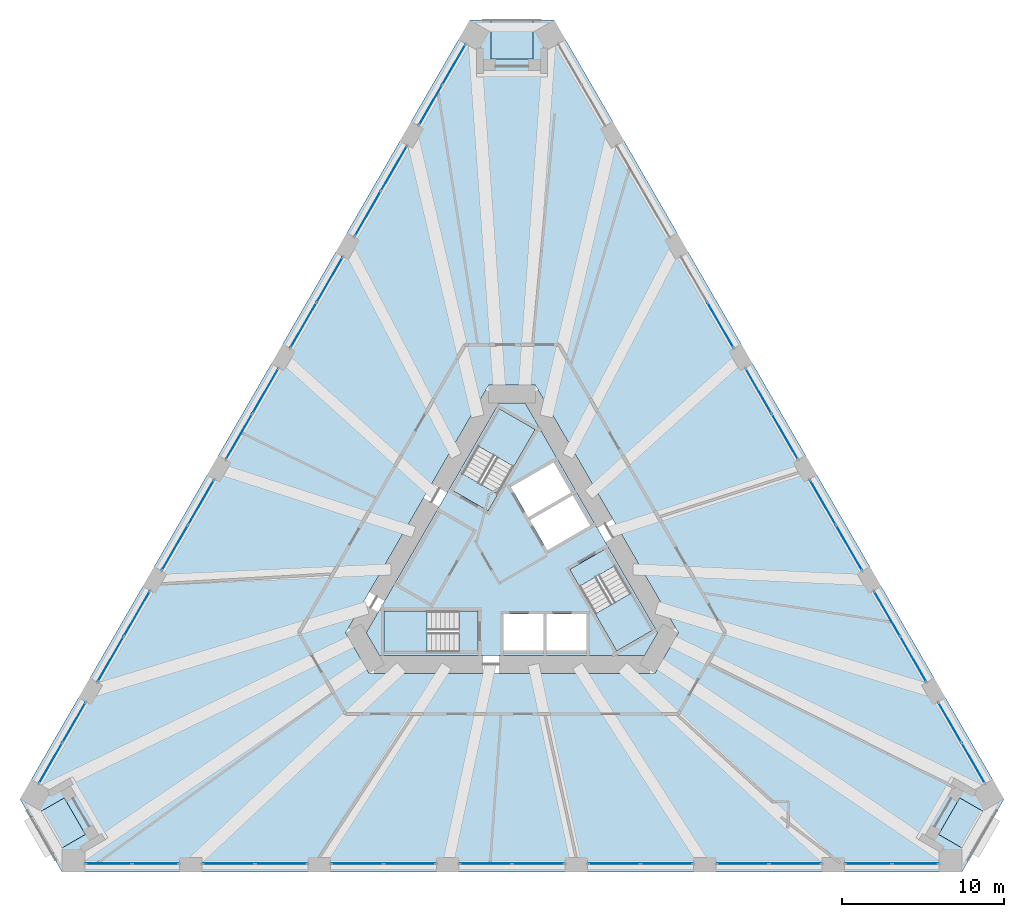
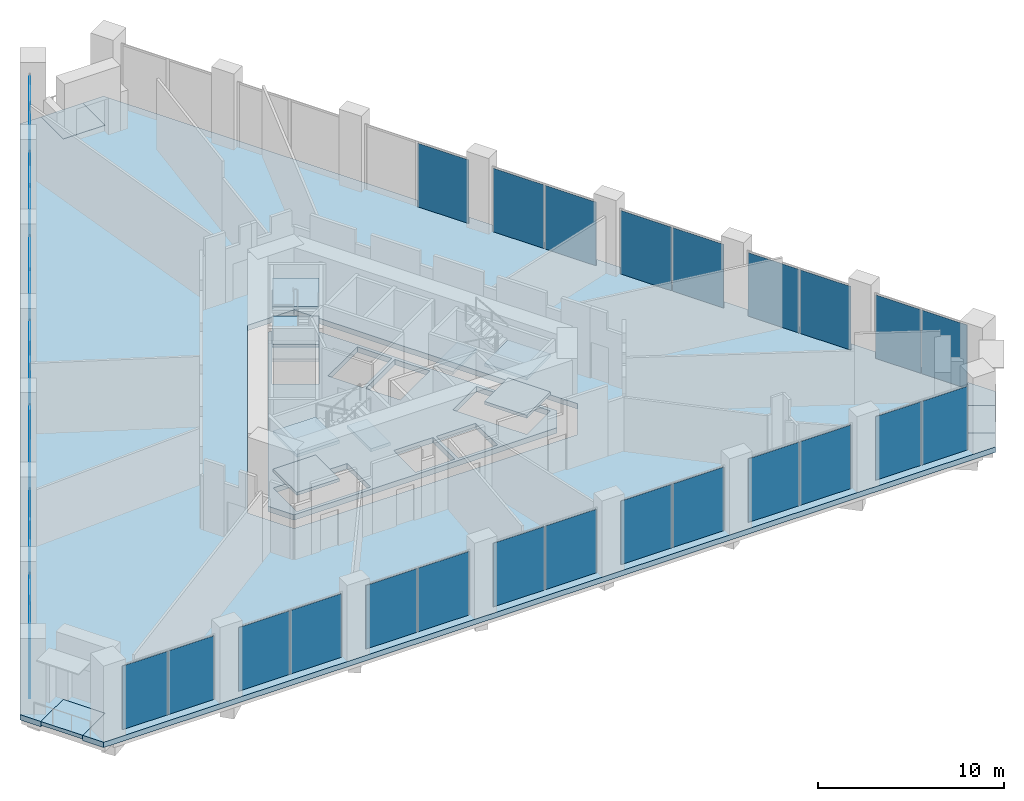
# One storey, part 12 of 20: 37 plates, 14 slabs, 22 elements without a shape of their own.
"""IFC4 building model written with IfcOpenShell, lengths in metres."""

from ifc_helpers import new_model, si_unit, direction, frame, origin, origin_2d, place, context, subcontext, project, spatial, polyline, rectangle, outline, extrude, material, layer, layer_set, type_object, element, aggregate, save


model = new_model("IFC4")

# Units and contexts
model_context = context("Model", 3, precision=1e-05, world=origin(), true_north=direction((0.0, 1.0)))
body_context = subcontext(model_context, "Body", "Model", "MODEL_VIEW")
ifc_project = project(units=[si_unit("LENGTHUNIT", "METRE"), si_unit("AREAUNIT", "SQUARE_METRE"), si_unit("VOLUMEUNIT", "CUBIC_METRE"), si_unit("PLANEANGLEUNIT", "RADIAN"), si_unit("MASSUNIT", "GRAM", prefix="KILO")], contexts=[model_context])

# Site, building, storey
site_placement = place(None, origin())
site = spatial("IfcSite", under=ifc_project, at=site_placement, CompositionType="ELEMENT")
building_placement = place(site_placement, origin())
building = spatial("IfcBuilding", under=site, at=building_placement, Name="Tramontana Tower", CompositionType="ELEMENT")
storey_placement = place(building_placement, frame((0.0, 0.0, 20.0)))
storey = spatial("IfcBuildingStorey", under=building, at=storey_placement, Name="L03", CompositionType="ELEMENT", Elevation=20.0)

# Curtain wall, plates
ifc_material_1 = material(Name="Aluminum extrusion", Category="aluminium")
ifc_layer_1 = layer(ifc_material_1, 0.14990234375)
ifc_layer_set_1 = layer_set([ifc_layer_1], Name="CW2 Podium amenity curtain wall")
curtain_wall_type = type_object("IfcCurtainWallType", Name="CW2 Podium amenity curtain wall", PredefinedType="NOTDEFINED", material=ifc_layer_set_1)
curtain_wall_1_placement = place(storey_placement, origin())
curtain_wall_1 = element("IfcCurtainWall", 1, at=curtain_wall_1_placement, inside=storey, type_object=curtain_wall_type, Name="CW2 curtain wall L03 face 0 bay 1", PredefinedType="NOTDEFINED")
ifc_material_2 = material(Name="Low-iron double glazing unit", Category="glass")
ifc_layer_2 = layer(ifc_material_2, 0.031982421875)
ifc_layer_set_2 = layer_set([ifc_layer_2], Name="CW2-P Glazing panel 32")
plate_type = type_object("IfcPlateType", Name="CW2-P Glazing panel 32", PredefinedType="CURTAIN_PANEL", material=ifc_layer_set_2)
plate_1_placement = place(storey_placement, frame((-3.578125, 30.75244140625, 0.0), z_axis=(0.0, 0.0, 1.0), x_axis=(-0.5, -0.866025403784, 0.0)))
plate_1 = element("IfcPlate", 2, at=plate_1_placement, type_object=plate_type, Name="CW2 curtain wall L03 face 0 bay 1 panel 1.1", PredefinedType="CURTAIN_PANEL", context=body_context, shape_type="SweptSolid", body=[
    extrude(rectangle(XDim=2.819091796875, YDim=0.031982421875, at=origin_2d()), origin(), (0.0, 0.0, 1.0), 4.179931640625),
])
plate_2_placement = place(storey_placement, frame((-5.017578125, 28.25927734375, 0.0), z_axis=(0.0, 0.0, 1.0), x_axis=(-0.5, -0.866025403784, 0.0)))
plate_2 = element("IfcPlate", 3, at=plate_2_placement, type_object=plate_type, Name="CW2 curtain wall L03 face 0 bay 1 panel 2.1", PredefinedType="CURTAIN_PANEL", context=body_context, shape_type="SweptSolid", body=[
    extrude(rectangle(XDim=2.819091796875, YDim=0.031982421875, at=origin_2d()), origin(), (0.0, 0.0, 1.0), 4.179931640625),
])
aggregate(curtain_wall_1, [plate_1, plate_2])

curtain_wall_2_placement = place(storey_placement, origin())
curtain_wall_2 = element("IfcCurtainWall", 4, at=curtain_wall_2_placement, inside=storey, type_object=curtain_wall_type, Name="CW2 curtain wall L03 face 0 bay 2", PredefinedType="NOTDEFINED")
plate_3_placement = place(storey_placement, frame((-7.274658203125, 24.349853515625, 0.0), z_axis=(0.0, 0.0, 1.0), x_axis=(-0.5, -0.866025403784, 0.0)))
plate_3 = element("IfcPlate", 5, at=plate_3_placement, type_object=plate_type, Name="CW2 curtain wall L03 face 0 bay 2 panel 1.1", PredefinedType="CURTAIN_PANEL", context=body_context, shape_type="SweptSolid", body=[
    extrude(rectangle(XDim=3.1689453125, YDim=0.031982421875, at=origin_2d()), origin(), (0.0, 0.0, 1.0), 4.179931640625),
])
plate_4_placement = place(storey_placement, frame((-8.88916015625, 21.5537109375, 0.0), z_axis=(0.0, 0.0, 1.0), x_axis=(-0.5, -0.866025403784, 0.0)))
plate_4 = element("IfcPlate", 6, at=plate_4_placement, type_object=plate_type, Name="CW2 curtain wall L03 face 0 bay 2 panel 2.1", PredefinedType="CURTAIN_PANEL", context=body_context, shape_type="SweptSolid", body=[
    extrude(rectangle(XDim=3.1689453125, YDim=0.031982421875, at=origin_2d()), origin(), (0.0, 0.0, 1.0), 4.179931640625),
])
aggregate(curtain_wall_2, [plate_3, plate_4])

curtain_wall_3_placement = place(storey_placement, origin())
curtain_wall_3 = element("IfcCurtainWall", 7, at=curtain_wall_3_placement, inside=storey, type_object=curtain_wall_type, Name="CW2 curtain wall L03 face 0 bay 3", PredefinedType="NOTDEFINED")
plate_5_placement = place(storey_placement, frame((-11.233642578125, 17.492919921875, 0.0), z_axis=(0.0, 0.0, 1.0), x_axis=(-0.5, -0.866025403784, 0.0)))
plate_5 = element("IfcPlate", 8, at=plate_5_placement, type_object=plate_type, Name="CW2 curtain wall L03 face 0 bay 3 panel 1.1", PredefinedType="CURTAIN_PANEL", context=body_context, shape_type="SweptSolid", body=[
    extrude(rectangle(XDim=3.1689453125, YDim=0.031982421875, at=origin_2d()), origin(), (0.0, 0.0, 1.0), 4.179931640625),
])
plate_6_placement = place(storey_placement, frame((-12.84814453125, 14.696533203125, 0.0), z_axis=(0.0, 0.0, 1.0), x_axis=(-0.5, -0.866025403784, 0.0)))
plate_6 = element("IfcPlate", 9, at=plate_6_placement, type_object=plate_type, Name="CW2 curtain wall L03 face 0 bay 3 panel 2.1", PredefinedType="CURTAIN_PANEL", context=body_context, shape_type="SweptSolid", body=[
    extrude(rectangle(XDim=3.1689453125, YDim=0.031982421875, at=origin_2d()), origin(), (0.0, 0.0, 1.0), 4.179931640625),
])
aggregate(curtain_wall_3, [plate_5, plate_6])

curtain_wall_4_placement = place(storey_placement, origin())
curtain_wall_4 = element("IfcCurtainWall", 10, at=curtain_wall_4_placement, inside=storey, type_object=curtain_wall_type, Name="CW2 curtain wall L03 face 0 bay 4", PredefinedType="NOTDEFINED")
plate_7_placement = place(storey_placement, frame((-15.192626953125, 10.6357421875, 0.0), z_axis=(0.0, 0.0, 1.0), x_axis=(-0.5, -0.866025403784, 0.0)))
plate_7 = element("IfcPlate", 11, at=plate_7_placement, type_object=plate_type, Name="CW2 curtain wall L03 face 0 bay 4 panel 1.1", PredefinedType="CURTAIN_PANEL", context=body_context, shape_type="SweptSolid", body=[
    extrude(rectangle(XDim=3.1689453125, YDim=0.031982421875, at=origin_2d()), origin(), (0.0, 0.0, 1.0), 4.179931640625),
])
plate_8_placement = place(storey_placement, frame((-16.80712890625, 7.83935546875, 0.0), z_axis=(0.0, 0.0, 1.0), x_axis=(-0.5, -0.866025403784, 0.0)))
plate_8 = element("IfcPlate", 12, at=plate_8_placement, type_object=plate_type, Name="CW2 curtain wall L03 face 0 bay 4 panel 2.1", PredefinedType="CURTAIN_PANEL", context=body_context, shape_type="SweptSolid", body=[
    extrude(rectangle(XDim=3.1689453125, YDim=0.031982421875, at=origin_2d()), origin(), (0.0, 0.0, 1.0), 4.179931640625),
])
aggregate(curtain_wall_4, [plate_7, plate_8])

curtain_wall_5_placement = place(storey_placement, origin())
curtain_wall_5 = element("IfcCurtainWall", 13, at=curtain_wall_5_placement, inside=storey, type_object=curtain_wall_type, Name="CW2 curtain wall L03 face 0 bay 5", PredefinedType="NOTDEFINED")
plate_9_placement = place(storey_placement, frame((-19.151611328125, 3.778564453125, 0.0), z_axis=(0.0, 0.0, 1.0), x_axis=(-0.5, -0.866025403784, 0.0)))
plate_9 = element("IfcPlate", 14, at=plate_9_placement, type_object=plate_type, Name="CW2 curtain wall L03 face 0 bay 5 panel 1.1", PredefinedType="CURTAIN_PANEL", context=body_context, shape_type="SweptSolid", body=[
    extrude(rectangle(XDim=3.1689453125, YDim=0.031982421875, at=origin_2d()), origin(), (0.0, 0.0, 1.0), 4.179931640625),
])
plate_10_placement = place(storey_placement, frame((-20.76611328125, 0.982177734375, 0.0), z_axis=(0.0, 0.0, 1.0), x_axis=(-0.5, -0.866025403784, 0.0)))
plate_10 = element("IfcPlate", 15, at=plate_10_placement, type_object=plate_type, Name="CW2 curtain wall L03 face 0 bay 5 panel 2.1", PredefinedType="CURTAIN_PANEL", context=body_context, shape_type="SweptSolid", body=[
    extrude(rectangle(XDim=3.1689453125, YDim=0.031982421875, at=origin_2d()), origin(), (0.0, 0.0, 1.0), 4.179931640625),
])
aggregate(curtain_wall_5, [plate_9, plate_10])

curtain_wall_6_placement = place(storey_placement, origin())
curtain_wall_6 = element("IfcCurtainWall", 16, at=curtain_wall_6_placement, inside=storey, type_object=curtain_wall_type, Name="CW2 curtain wall L03 face 0 bay 6", PredefinedType="NOTDEFINED")
plate_11_placement = place(storey_placement, frame((-23.110595703125, -3.07861328125, 0.0), z_axis=(0.0, 0.0, 1.0), x_axis=(-0.5, -0.866025403784, 0.0)))
plate_11 = element("IfcPlate", 17, at=plate_11_placement, type_object=plate_type, Name="CW2 curtain wall L03 face 0 bay 6 panel 1.1", PredefinedType="CURTAIN_PANEL", context=body_context, shape_type="SweptSolid", body=[
    extrude(rectangle(XDim=3.1689453125, YDim=0.031982421875, at=origin_2d()), origin(), (0.0, 0.0, 1.0), 4.179931640625),
])
plate_12_placement = place(storey_placement, frame((-24.72509765625, -5.875, 0.0), z_axis=(0.0, 0.0, 1.0), x_axis=(-0.5, -0.866025403784, 0.0)))
plate_12 = element("IfcPlate", 18, at=plate_12_placement, type_object=plate_type, Name="CW2 curtain wall L03 face 0 bay 6 panel 2.1", PredefinedType="CURTAIN_PANEL", context=body_context, shape_type="SweptSolid", body=[
    extrude(rectangle(XDim=3.1689453125, YDim=0.031982421875, at=origin_2d()), origin(), (0.0, 0.0, 1.0), 4.179931640625),
])
aggregate(curtain_wall_6, [plate_11, plate_12])

curtain_wall_7_placement = place(storey_placement, origin())
curtain_wall_7 = element("IfcCurtainWall", 19, at=curtain_wall_7_placement, inside=storey, type_object=curtain_wall_type, Name="CW2 curtain wall L03 face 0 bay 7", PredefinedType="NOTDEFINED")
plate_13_placement = place(storey_placement, frame((-26.98193359375, -9.7841796875, 0.0), z_axis=(0.0, 0.0, 1.0), x_axis=(-0.5, -0.866025403784, 0.0)))
plate_13 = element("IfcPlate", 20, at=plate_13_placement, type_object=plate_type, Name="CW2 curtain wall L03 face 0 bay 7 panel 1.1", PredefinedType="CURTAIN_PANEL", context=body_context, shape_type="SweptSolid", body=[
    extrude(rectangle(XDim=2.819091796875, YDim=0.031982421875, at=origin_2d()), origin(), (0.0, 0.0, 1.0), 4.179931640625),
])
plate_14_placement = place(storey_placement, frame((-28.42138671875, -12.27734375, 0.0), z_axis=(0.0, 0.0, 1.0), x_axis=(-0.5, -0.866025403784, 0.0)))
plate_14 = element("IfcPlate", 21, at=plate_14_placement, type_object=plate_type, Name="CW2 curtain wall L03 face 0 bay 7 panel 2.1", PredefinedType="CURTAIN_PANEL", context=body_context, shape_type="SweptSolid", body=[
    extrude(rectangle(XDim=2.819091796875, YDim=0.031982421875, at=origin_2d()), origin(), (0.0, 0.0, 1.0), 4.179931640625),
])
aggregate(curtain_wall_7, [plate_13, plate_14])

curtain_wall_8_placement = place(storey_placement, origin())
curtain_wall_8 = element("IfcCurtainWall", 22, at=curtain_wall_8_placement, inside=storey, type_object=curtain_wall_type, Name="CW2 curtain wall L03 face 1 bay 1", PredefinedType="NOTDEFINED")
plate_15_placement = place(storey_placement, frame((-24.84326171875, -18.47509765625, 0.0), z_axis=(0.0, 0.0, 1.0), x_axis=(1.0, 0.0, 0.0)))
plate_15 = element("IfcPlate", 23, at=plate_15_placement, type_object=plate_type, Name="CW2 curtain wall L03 face 1 bay 1 panel 1.1", PredefinedType="CURTAIN_PANEL", context=body_context, shape_type="SweptSolid", body=[
    extrude(rectangle(XDim=2.819091796875, YDim=0.031982421875, at=origin_2d()), origin(), (0.0, 0.0, 1.0), 4.179931640625),
])
plate_16_placement = place(storey_placement, frame((-21.96435546875, -18.47509765625, 0.0), z_axis=(0.0, 0.0, 1.0), x_axis=(1.0, 0.0, 0.0)))
plate_16 = element("IfcPlate", 24, at=plate_16_placement, type_object=plate_type, Name="CW2 curtain wall L03 face 1 bay 1 panel 2.1", PredefinedType="CURTAIN_PANEL", context=body_context, shape_type="SweptSolid", body=[
    extrude(rectangle(XDim=2.819091796875, YDim=0.031982421875, at=origin_2d()), origin(), (0.0, 0.0, 1.0), 4.179931640625),
])
aggregate(curtain_wall_8, [plate_15, plate_16])

curtain_wall_9_placement = place(storey_placement, origin())
curtain_wall_9 = element("IfcCurtainWall", 25, at=curtain_wall_9_placement, inside=storey, type_object=curtain_wall_type, Name="CW2 curtain wall L03 face 1 bay 2", PredefinedType="NOTDEFINED")
plate_17_placement = place(storey_placement, frame((-17.450439453125, -18.47509765625, 0.0), z_axis=(0.0, 0.0, 1.0), x_axis=(1.0, 0.0, 0.0)))
plate_17 = element("IfcPlate", 26, at=plate_17_placement, type_object=plate_type, Name="CW2 curtain wall L03 face 1 bay 2 panel 1.1", PredefinedType="CURTAIN_PANEL", context=body_context, shape_type="SweptSolid", body=[
    extrude(rectangle(XDim=3.1689453125, YDim=0.031982421875, at=origin_2d()), origin(), (0.0, 0.0, 1.0), 4.179931640625),
])
plate_18_placement = place(storey_placement, frame((-14.221435546875, -18.47509765625, 0.0), z_axis=(0.0, 0.0, 1.0), x_axis=(1.0, 0.0, 0.0)))
plate_18 = element("IfcPlate", 27, at=plate_18_placement, type_object=plate_type, Name="CW2 curtain wall L03 face 1 bay 2 panel 2.1", PredefinedType="CURTAIN_PANEL", context=body_context, shape_type="SweptSolid", body=[
    extrude(rectangle(XDim=3.1689453125, YDim=0.031982421875, at=origin_2d()), origin(), (0.0, 0.0, 1.0), 4.179931640625),
])
aggregate(curtain_wall_9, [plate_17, plate_18])

curtain_wall_10_placement = place(storey_placement, origin())
curtain_wall_10 = element("IfcCurtainWall", 28, at=curtain_wall_10_placement, inside=storey, type_object=curtain_wall_type, Name="CW2 curtain wall L03 face 1 bay 3", PredefinedType="NOTDEFINED")
plate_19_placement = place(storey_placement, frame((-9.532470703125, -18.47509765625, 0.0), z_axis=(0.0, 0.0, 1.0), x_axis=(1.0, 0.0, 0.0)))
plate_19 = element("IfcPlate", 29, at=plate_19_placement, type_object=plate_type, Name="CW2 curtain wall L03 face 1 bay 3 panel 1.1", PredefinedType="CURTAIN_PANEL", context=body_context, shape_type="SweptSolid", body=[
    extrude(rectangle(XDim=3.1689453125, YDim=0.031982421875, at=origin_2d()), origin(), (0.0, 0.0, 1.0), 4.179931640625),
])
plate_20_placement = place(storey_placement, frame((-6.303466796875, -18.47509765625, 0.0), z_axis=(0.0, 0.0, 1.0), x_axis=(1.0, 0.0, 0.0)))
plate_20 = element("IfcPlate", 30, at=plate_20_placement, type_object=plate_type, Name="CW2 curtain wall L03 face 1 bay 3 panel 2.1", PredefinedType="CURTAIN_PANEL", context=body_context, shape_type="SweptSolid", body=[
    extrude(rectangle(XDim=3.1689453125, YDim=0.031982421875, at=origin_2d()), origin(), (0.0, 0.0, 1.0), 4.179931640625),
])
aggregate(curtain_wall_10, [plate_19, plate_20])

curtain_wall_11_placement = place(storey_placement, origin())
curtain_wall_11 = element("IfcCurtainWall", 31, at=curtain_wall_11_placement, inside=storey, type_object=curtain_wall_type, Name="CW2 curtain wall L03 face 1 bay 4", PredefinedType="NOTDEFINED")
plate_21_placement = place(storey_placement, frame((-1.614501953125, -18.47509765625, 0.0), z_axis=(0.0, 0.0, 1.0), x_axis=(1.0, 0.0, 0.0)))
plate_21 = element("IfcPlate", 32, at=plate_21_placement, type_object=plate_type, Name="CW2 curtain wall L03 face 1 bay 4 panel 1.1", PredefinedType="CURTAIN_PANEL", context=body_context, shape_type="SweptSolid", body=[
    extrude(rectangle(XDim=3.1689453125, YDim=0.031982421875, at=origin_2d()), origin(), (0.0, 0.0, 1.0), 4.179931640625),
])
plate_22_placement = place(storey_placement, frame((1.614501953125, -18.47509765625, 0.0), z_axis=(0.0, 0.0, 1.0), x_axis=(1.0, 0.0, 0.0)))
plate_22 = element("IfcPlate", 33, at=plate_22_placement, type_object=plate_type, Name="CW2 curtain wall L03 face 1 bay 4 panel 2.1", PredefinedType="CURTAIN_PANEL", context=body_context, shape_type="SweptSolid", body=[
    extrude(rectangle(XDim=3.1689453125, YDim=0.031982421875, at=origin_2d()), origin(), (0.0, 0.0, 1.0), 4.179931640625),
])
aggregate(curtain_wall_11, [plate_21, plate_22])

curtain_wall_12_placement = place(storey_placement, origin())
curtain_wall_12 = element("IfcCurtainWall", 34, at=curtain_wall_12_placement, inside=storey, type_object=curtain_wall_type, Name="CW2 curtain wall L03 face 1 bay 5", PredefinedType="NOTDEFINED")
plate_23_placement = place(storey_placement, frame((6.303466796875, -18.47509765625, 0.0), z_axis=(0.0, 0.0, 1.0), x_axis=(1.0, 0.0, 0.0)))
plate_23 = element("IfcPlate", 35, at=plate_23_placement, type_object=plate_type, Name="CW2 curtain wall L03 face 1 bay 5 panel 1.1", PredefinedType="CURTAIN_PANEL", context=body_context, shape_type="SweptSolid", body=[
    extrude(rectangle(XDim=3.1689453125, YDim=0.031982421875, at=origin_2d()), origin(), (0.0, 0.0, 1.0), 4.179931640625),
])
plate_24_placement = place(storey_placement, frame((9.532470703125, -18.47509765625, 0.0), z_axis=(0.0, 0.0, 1.0), x_axis=(1.0, 0.0, 0.0)))
plate_24 = element("IfcPlate", 36, at=plate_24_placement, type_object=plate_type, Name="CW2 curtain wall L03 face 1 bay 5 panel 2.1", PredefinedType="CURTAIN_PANEL", context=body_context, shape_type="SweptSolid", body=[
    extrude(rectangle(XDim=3.1689453125, YDim=0.031982421875, at=origin_2d()), origin(), (0.0, 0.0, 1.0), 4.179931640625),
])
aggregate(curtain_wall_12, [plate_23, plate_24])

curtain_wall_13_placement = place(storey_placement, origin())
curtain_wall_13 = element("IfcCurtainWall", 37, at=curtain_wall_13_placement, inside=storey, type_object=curtain_wall_type, Name="CW2 curtain wall L03 face 1 bay 6", PredefinedType="NOTDEFINED")
plate_25_placement = place(storey_placement, frame((14.221435546875, -18.47509765625, 0.0), z_axis=(0.0, 0.0, 1.0), x_axis=(1.0, 0.0, 0.0)))
plate_25 = element("IfcPlate", 38, at=plate_25_placement, type_object=plate_type, Name="CW2 curtain wall L03 face 1 bay 6 panel 1.1", PredefinedType="CURTAIN_PANEL", context=body_context, shape_type="SweptSolid", body=[
    extrude(rectangle(XDim=3.1689453125, YDim=0.031982421875, at=origin_2d()), origin(), (0.0, 0.0, 1.0), 4.179931640625),
])
plate_26_placement = place(storey_placement, frame((17.450439453125, -18.47509765625, 0.0), z_axis=(0.0, 0.0, 1.0), x_axis=(1.0, 0.0, 0.0)))
plate_26 = element("IfcPlate", 39, at=plate_26_placement, type_object=plate_type, Name="CW2 curtain wall L03 face 1 bay 6 panel 2.1", PredefinedType="CURTAIN_PANEL", context=body_context, shape_type="SweptSolid", body=[
    extrude(rectangle(XDim=3.1689453125, YDim=0.031982421875, at=origin_2d()), origin(), (0.0, 0.0, 1.0), 4.179931640625),
])
aggregate(curtain_wall_13, [plate_25, plate_26])

curtain_wall_14_placement = place(storey_placement, origin())
curtain_wall_14 = element("IfcCurtainWall", 40, at=curtain_wall_14_placement, inside=storey, type_object=curtain_wall_type, Name="CW2 curtain wall L03 face 1 bay 7", PredefinedType="NOTDEFINED")
plate_27_placement = place(storey_placement, frame((21.96435546875, -18.47509765625, 0.0), z_axis=(0.0, 0.0, 1.0), x_axis=(1.0, 0.0, 0.0)))
plate_27 = element("IfcPlate", 41, at=plate_27_placement, type_object=plate_type, Name="CW2 curtain wall L03 face 1 bay 7 panel 1.1", PredefinedType="CURTAIN_PANEL", context=body_context, shape_type="SweptSolid", body=[
    extrude(rectangle(XDim=2.819091796875, YDim=0.031982421875, at=origin_2d()), origin(), (0.0, 0.0, 1.0), 4.179931640625),
])
plate_28_placement = place(storey_placement, frame((24.84326171875, -18.47509765625, 0.0), z_axis=(0.0, 0.0, 1.0), x_axis=(1.0, 0.0, 0.0)))
plate_28 = element("IfcPlate", 42, at=plate_28_placement, type_object=plate_type, Name="CW2 curtain wall L03 face 1 bay 7 panel 2.1", PredefinedType="CURTAIN_PANEL", context=body_context, shape_type="SweptSolid", body=[
    extrude(rectangle(XDim=2.819091796875, YDim=0.031982421875, at=origin_2d()), origin(), (0.0, 0.0, 1.0), 4.179931640625),
])
aggregate(curtain_wall_14, [plate_27, plate_28])

curtain_wall_15_placement = place(storey_placement, origin())
curtain_wall_15 = element("IfcCurtainWall", 43, at=curtain_wall_15_placement, inside=storey, type_object=curtain_wall_type, Name="CW2 curtain wall L03 face 2 bay 1", PredefinedType="NOTDEFINED")
plate_29_placement = place(storey_placement, frame((28.42138671875, -12.27734375, 0.0), z_axis=(0.0, 0.0, 1.0), x_axis=(-0.5, 0.866025403784, 0.0)))
plate_29 = element("IfcPlate", 44, at=plate_29_placement, type_object=plate_type, Name="CW2 curtain wall L03 face 2 bay 1 panel 1.1", PredefinedType="CURTAIN_PANEL", context=body_context, shape_type="SweptSolid", body=[
    extrude(rectangle(XDim=2.819091796875, YDim=0.031982421875, at=origin_2d()), origin(), (0.0, 0.0, 1.0), 4.179931640625),
])
plate_30_placement = place(storey_placement, frame((26.98193359375, -9.7841796875, 0.0), z_axis=(0.0, 0.0, 1.0), x_axis=(-0.5, 0.866025403784, 0.0)))
plate_30 = element("IfcPlate", 45, at=plate_30_placement, type_object=plate_type, Name="CW2 curtain wall L03 face 2 bay 1 panel 2.1", PredefinedType="CURTAIN_PANEL", context=body_context, shape_type="SweptSolid", body=[
    extrude(rectangle(XDim=2.819091796875, YDim=0.031982421875, at=origin_2d()), origin(), (0.0, 0.0, 1.0), 4.179931640625),
])
aggregate(curtain_wall_15, [plate_29, plate_30])

curtain_wall_16_placement = place(storey_placement, origin())
curtain_wall_16 = element("IfcCurtainWall", 46, at=curtain_wall_16_placement, inside=storey, type_object=curtain_wall_type, Name="CW2 curtain wall L03 face 2 bay 2", PredefinedType="NOTDEFINED")
plate_31_placement = place(storey_placement, frame((24.72509765625, -5.875, 0.0), z_axis=(0.0, 0.0, 1.0), x_axis=(-0.5, 0.866025403784, 0.0)))
plate_31 = element("IfcPlate", 47, at=plate_31_placement, type_object=plate_type, Name="CW2 curtain wall L03 face 2 bay 2 panel 1.1", PredefinedType="CURTAIN_PANEL", context=body_context, shape_type="SweptSolid", body=[
    extrude(rectangle(XDim=3.1689453125, YDim=0.031982421875, at=origin_2d()), origin(), (0.0, 0.0, 1.0), 4.179931640625),
])
plate_32_placement = place(storey_placement, frame((23.110595703125, -3.07861328125, 0.0), z_axis=(0.0, 0.0, 1.0), x_axis=(-0.5, 0.866025403784, 0.0)))
plate_32 = element("IfcPlate", 48, at=plate_32_placement, type_object=plate_type, Name="CW2 curtain wall L03 face 2 bay 2 panel 2.1", PredefinedType="CURTAIN_PANEL", context=body_context, shape_type="SweptSolid", body=[
    extrude(rectangle(XDim=3.1689453125, YDim=0.031982421875, at=origin_2d()), origin(), (0.0, 0.0, 1.0), 4.179931640625),
])
aggregate(curtain_wall_16, [plate_31, plate_32])

curtain_wall_17_placement = place(storey_placement, origin())
curtain_wall_17 = element("IfcCurtainWall", 49, at=curtain_wall_17_placement, inside=storey, type_object=curtain_wall_type, Name="CW2 curtain wall L03 face 2 bay 3", PredefinedType="NOTDEFINED")
plate_33_placement = place(storey_placement, frame((20.76611328125, 0.982177734375, 0.0), z_axis=(0.0, 0.0, 1.0), x_axis=(-0.5, 0.866025403784, 0.0)))
plate_33 = element("IfcPlate", 50, at=plate_33_placement, type_object=plate_type, Name="CW2 curtain wall L03 face 2 bay 3 panel 1.1", PredefinedType="CURTAIN_PANEL", context=body_context, shape_type="SweptSolid", body=[
    extrude(rectangle(XDim=3.1689453125, YDim=0.031982421875, at=origin_2d()), origin(), (0.0, 0.0, 1.0), 4.179931640625),
])
plate_34_placement = place(storey_placement, frame((19.151611328125, 3.778564453125, 0.0), z_axis=(0.0, 0.0, 1.0), x_axis=(-0.5, 0.866025403784, 0.0)))
plate_34 = element("IfcPlate", 51, at=plate_34_placement, type_object=plate_type, Name="CW2 curtain wall L03 face 2 bay 3 panel 2.1", PredefinedType="CURTAIN_PANEL", context=body_context, shape_type="SweptSolid", body=[
    extrude(rectangle(XDim=3.1689453125, YDim=0.031982421875, at=origin_2d()), origin(), (0.0, 0.0, 1.0), 4.179931640625),
])
aggregate(curtain_wall_17, [plate_33, plate_34])

curtain_wall_18_placement = place(storey_placement, origin())
curtain_wall_18 = element("IfcCurtainWall", 52, at=curtain_wall_18_placement, inside=storey, type_object=curtain_wall_type, Name="CW2 curtain wall L03 face 2 bay 4", PredefinedType="NOTDEFINED")
plate_35_placement = place(storey_placement, frame((16.80712890625, 7.83935546875, 0.0), z_axis=(0.0, 0.0, 1.0), x_axis=(-0.5, 0.866025403784, 0.0)))
plate_35 = element("IfcPlate", 53, at=plate_35_placement, type_object=plate_type, Name="CW2 curtain wall L03 face 2 bay 4 panel 1.1", PredefinedType="CURTAIN_PANEL", context=body_context, shape_type="SweptSolid", body=[
    extrude(rectangle(XDim=3.1689453125, YDim=0.031982421875, at=origin_2d()), origin(), (0.0, 0.0, 1.0), 4.179931640625),
])
plate_36_placement = place(storey_placement, frame((15.192626953125, 10.6357421875, 0.0), z_axis=(0.0, 0.0, 1.0), x_axis=(-0.5, 0.866025403784, 0.0)))
plate_36 = element("IfcPlate", 54, at=plate_36_placement, type_object=plate_type, Name="CW2 curtain wall L03 face 2 bay 4 panel 2.1", PredefinedType="CURTAIN_PANEL", context=body_context, shape_type="SweptSolid", body=[
    extrude(rectangle(XDim=3.1689453125, YDim=0.031982421875, at=origin_2d()), origin(), (0.0, 0.0, 1.0), 4.179931640625),
])
aggregate(curtain_wall_18, [plate_35, plate_36])

# Curtain wall, plate
curtain_wall_19_placement = place(storey_placement, origin())
curtain_wall_19 = element("IfcCurtainWall", 55, at=curtain_wall_19_placement, inside=storey, type_object=curtain_wall_type, Name="CW2 curtain wall L03 face 2 bay 5", PredefinedType="NOTDEFINED")
plate_37_placement = place(storey_placement, frame((12.84814453125, 14.696533203125, 0.0), z_axis=(0.0, 0.0, 1.0), x_axis=(-0.5, 0.866025403784, 0.0)))
plate_37 = element("IfcPlate", 56, at=plate_37_placement, type_object=plate_type, Name="CW2 curtain wall L03 face 2 bay 5 panel 1.1", PredefinedType="CURTAIN_PANEL", context=body_context, shape_type="SweptSolid", body=[
    extrude(rectangle(XDim=3.1689453125, YDim=0.031982421875, at=origin_2d()), origin(), (0.0, 0.0, 1.0), 4.179931640625),
])
aggregate(curtain_wall_19, [plate_37])

# Slabs
ifc_material_3 = material(Name="Precast concrete 50 MPa", Category="concrete")
ifc_layer_3 = layer(ifc_material_3, 0.25)
ifc_layer_set_3 = layer_set([ifc_layer_3], Name="LT1 Loggia floor tray 250")
slab_type_1 = type_object("IfcSlabType", Name="LT1 Loggia floor tray 250", PredefinedType="FLOOR", material=ifc_layer_set_3)
slab_1_placement = place(storey_placement, frame((0.0, 0.0, -0.25)))
element("IfcSlab", 57, at=slab_1_placement, inside=storey, type_object=slab_type_1, Name="Corner loggia floor L03 K00", PredefinedType="FLOOR", context=body_context, shape_type="SweptSolid", body=[
    extrude(outline(polyline([(1.300048828125, 33.5), (1.300048828125, 31.10009765625), (-1.300048828125, 31.10009765625), (-1.300048828125, 33.5), (1.300048828125, 33.5)])), origin(), (0.0, 0.0, 1.0), 0.25),
])
slab_2_placement = place(storey_placement, frame((0.0, 0.0, -0.25)))
element("IfcSlab", 58, at=slab_2_placement, inside=storey, type_object=slab_type_1, Name="Corner loggia floor L03 K01", PredefinedType="FLOOR", context=body_context, shape_type="SweptSolid", body=[
    extrude(outline(polyline([(-29.661865234375, -15.624267578125), (-27.58349609375, -14.424072265625), (-26.283447265625, -16.67578125), (-28.36181640625, -17.875732421875), (-29.661865234375, -15.624267578125)])), origin(), (0.0, 0.0, 1.0), 0.25),
])
slab_3_placement = place(storey_placement, frame((0.0, 0.0, -0.25)))
element("IfcSlab", 59, at=slab_3_placement, inside=storey, type_object=slab_type_1, Name="Corner loggia floor L03 K02", PredefinedType="FLOOR", context=body_context, shape_type="SweptSolid", body=[
    extrude(outline(polyline([(28.36181640625, -17.875732421875), (26.283447265625, -16.67578125), (27.58349609375, -14.424072265625), (29.661865234375, -15.624267578125), (28.36181640625, -17.875732421875)])), origin(), (0.0, 0.0, 1.0), 0.25),
])
ifc_material_4 = material(Name="Concrete 40 MPa", Category="concrete")
ifc_layer_4 = layer(ifc_material_4, 0.35009765625)
ifc_layer_set_4 = layer_set([ifc_layer_4], Name="PT FLAT SLAB 350 40 MPa")
slab_type_2 = type_object("IfcSlabType", Name="PT FLAT SLAB 350 40 MPa", PredefinedType="FLOOR", material=ifc_layer_set_4)
slab_4_placement = place(storey_placement, frame((0.0, 0.0, -0.35009765625)))
element("IfcSlab", 60, at=slab_4_placement, inside=storey, type_object=slab_type_2, Name="Floor slab L03", PredefinedType="FLOOR", context=body_context, shape_type="SweptSolid", body=[
    extrude(outline(polyline([(29.661865234375, -15.624267578125), (27.58349609375, -14.42431640625), (26.283447265625, -16.67578125), (28.36181640625, -17.875732421875), (27.712890625, -19.0), (-27.712890625, -19.0), (-28.36181640625, -17.875732421875), (-26.283447265625, -16.67578125), (-27.58349609375, -14.42431640625), (-29.661865234375, -15.624267578125), (-30.310791015625, -14.5), (-2.59814453125, 33.5), (-1.300048828125, 33.5), (-1.300048828125, 31.10009765625), (1.300048828125, 31.10009765625), (1.300048828125, 33.5), (2.59814453125, 33.5), (30.310791015625, -14.5), (29.661865234375, -15.624267578125)]), holes=[polyline([(-10.248046875, -4.25), (-8.8046875, -6.75), (8.8046875, -6.75), (10.248046875, -4.25), (1.443359375, 11.0), (-1.443359375, 11.0), (-10.248046875, -4.25)])]), origin(), (0.0, 0.0, 1.0), 0.35009765625),
])
slab_5_placement = place(storey_placement, frame((0.0, 0.0, -0.35009765625)))
element("IfcSlab", 61, at=slab_5_placement, inside=storey, type_object=slab_type_2, Name="Core floor slab L03", PredefinedType="FLOOR", context=body_context, shape_type="SweptSolid", body=[
    extrude(outline(polyline([(8.977783203125, -4.25), (8.16943359375, -5.64990234375), (-8.16943359375, -5.64990234375), (-8.977783203125, -4.25), (-0.808349609375, 9.89990234375), (0.808349609375, 9.89990234375), (8.977783203125, -4.25)]), holes=[polyline([(8.659912109375, -4.099365234375), (6.35986328125, -0.115478515625), (4.151611328125, -1.390625), (6.451416015625, -5.374267578125), (8.659912109375, -4.099365234375)]), polyline([(3.829833984375, 4.2666015625), (1.101806640625, 2.69140625), (2.177001953125, 0.82958984375), (4.90478515625, 2.404541015625), (3.829833984375, 4.2666015625)]), polyline([(4.590087890625, -3.10009765625), (2.139892578125, -3.10009765625), (2.139892578125, -5.449951171875), (4.590087890625, -5.449951171875), (4.590087890625, -3.10009765625)]), polyline([(2.65478515625, 6.3017578125), (-0.072998046875, 4.726806640625), (1.001953125, 2.86474609375), (3.729736328125, 4.439697265625), (2.65478515625, 6.3017578125)]), polyline([(1.93994140625, -5.449951171875), (1.93994140625, -3.10009765625), (-0.510009765625, -3.10009765625), (-0.510009765625, -5.449951171875), (1.93994140625, -5.449951171875)]), polyline([(-0.77978515625, 9.54931640625), (-3.079833984375, 5.565673828125), (-0.87158203125, 4.29052734375), (1.428466796875, 8.2744140625), (-0.77978515625, 9.54931640625)]), polyline([(-7.8798828125, -5.449951171875), (-3.280029296875, -5.449951171875), (-3.280029296875, -2.89990234375), (-7.8798828125, -2.89990234375), (-7.8798828125, -5.449951171875)])]), origin(), (0.0, 0.0, 1.0), 0.35009765625),
])

# Stair, slabs
ifc_material_5 = material(Name="Concrete 40 MPa", Category="concrete")
stair_type = type_object("IfcStairType", Name="EXIT STAIR 32 RISERS", PredefinedType="HALF_TURN_STAIR", material=ifc_material_5)
stair_1_placement = place(storey_placement, origin())
stair_1 = element("IfcStair", 62, at=stair_1_placement, inside=storey, type_object=stair_type, Name="L03 Exit stair ST1", PredefinedType="HALF_TURN_STAIR")
ifc_material_6 = material(Name="Concrete 40 MPa", Category="concrete")
ifc_layer_5 = layer(ifc_material_6, 0.199951171875)
ifc_layer_set_5 = layer_set([ifc_layer_5], Name="STAIR LANDING 200")
slab_type_3 = type_object("IfcSlabType", Name="STAIR LANDING 200", PredefinedType="LANDING", material=ifc_layer_set_5)
slab_6_placement = place(storey_placement, frame((0.0, 0.0, 1.050048828125)))
slab_6 = element("IfcSlab", 63, at=slab_6_placement, type_object=slab_type_3, Name="ST1 landing 1", PredefinedType="LANDING", context=body_context, shape_type="SweptSolid", body=[
    extrude(outline(polyline([(0.108642578125, 5.988037109375), (1.428466796875, 8.274169921875), (-0.77978515625, 9.54931640625), (-2.099853515625, 7.262939453125), (0.108642578125, 5.988037109375)])), origin(), (0.0, 0.0, 1.0), 0.199951171875),
])
slab_7_placement = place(storey_placement, frame((0.0, 0.0, 2.300048828125)))
slab_7 = element("IfcSlab", 64, at=slab_7_placement, type_object=slab_type_3, Name="ST1 landing 2", PredefinedType="LANDING", context=body_context, shape_type="SweptSolid", body=[
    extrude(outline(polyline([(-1.471435546875, 3.251220703125), (-0.87158203125, 4.29052734375), (-3.079833984375, 5.565673828125), (-3.679931640625, 4.5263671875), (-1.471435546875, 3.251220703125)])), origin(), (0.0, 0.0, 1.0), 0.199951171875),
])
slab_8_placement = place(storey_placement, frame((0.0, 0.0, 3.550048828125)))
slab_8 = element("IfcSlab", 65, at=slab_8_placement, type_object=slab_type_3, Name="ST1 landing 3", PredefinedType="LANDING", context=body_context, shape_type="SweptSolid", body=[
    extrude(outline(polyline([(0.108642578125, 5.988037109375), (1.428466796875, 8.274169921875), (-0.77978515625, 9.54931640625), (-2.099853515625, 7.262939453125), (0.108642578125, 5.988037109375)])), origin(), (0.0, 0.0, 1.0), 0.199951171875),
])
aggregate(stair_1, [slab_6, slab_7, slab_8])

stair_2_placement = place(storey_placement, origin())
stair_2 = element("IfcStair", 66, at=stair_2_placement, inside=storey, type_object=stair_type, Name="L03 Exit stair ST2", PredefinedType="HALF_TURN_STAIR")
slab_9_placement = place(storey_placement, frame((0.0, 0.0, 1.050048828125)))
slab_9 = element("IfcSlab", 67, at=slab_9_placement, type_object=slab_type_3, Name="ST2 landing 1", PredefinedType="LANDING", context=body_context, shape_type="SweptSolid", body=[
    extrude(outline(polyline([(-5.239990234375, -2.89990234375), (-7.8798828125, -2.89990234375), (-7.8798828125, -5.449951171875), (-5.239990234375, -5.449951171875), (-5.239990234375, -2.89990234375)])), origin(), (0.0, 0.0, 1.0), 0.199951171875),
])
slab_10_placement = place(storey_placement, frame((0.0, 0.0, 2.300048828125)))
slab_10 = element("IfcSlab", 68, at=slab_10_placement, type_object=slab_type_3, Name="ST2 landing 2", PredefinedType="LANDING", context=body_context, shape_type="SweptSolid", body=[
    extrude(outline(polyline([(-2.080078125, -2.89990234375), (-3.280029296875, -2.89990234375), (-3.280029296875, -5.449951171875), (-2.080078125, -5.449951171875), (-2.080078125, -2.89990234375)])), origin(), (0.0, 0.0, 1.0), 0.199951171875),
])
slab_11_placement = place(storey_placement, frame((0.0, 0.0, 3.550048828125)))
slab_11 = element("IfcSlab", 69, at=slab_11_placement, type_object=slab_type_3, Name="ST2 landing 3", PredefinedType="LANDING", context=body_context, shape_type="SweptSolid", body=[
    extrude(outline(polyline([(-5.239990234375, -2.89990234375), (-7.8798828125, -2.89990234375), (-7.8798828125, -5.449951171875), (-5.239990234375, -5.449951171875), (-5.239990234375, -2.89990234375)])), origin(), (0.0, 0.0, 1.0), 0.199951171875),
])
aggregate(stair_2, [slab_9, slab_10, slab_11])

stair_3_placement = place(storey_placement, origin())
stair_3 = element("IfcStair", 70, at=stair_3_placement, inside=storey, type_object=stair_type, Name="L03 Exit stair ST3", PredefinedType="HALF_TURN_STAIR")
slab_12_placement = place(storey_placement, frame((0.0, 0.0, 1.050048828125)))
slab_12 = element("IfcSlab", 71, at=slab_12_placement, type_object=slab_type_3, Name="ST3 landing 1", PredefinedType="LANDING", context=body_context, shape_type="SweptSolid", body=[
    extrude(outline(polyline([(5.131591796875, -3.087890625), (6.451416015625, -5.374267578125), (8.659912109375, -4.099365234375), (7.33984375, -1.81298828125), (5.131591796875, -3.087890625)])), origin(), (0.0, 0.0, 1.0), 0.199951171875),
])
slab_13_placement = place(storey_placement, frame((0.0, 0.0, 2.300048828125)))
slab_13 = element("IfcSlab", 72, at=slab_13_placement, type_object=slab_type_3, Name="ST3 landing 2", PredefinedType="LANDING", context=body_context, shape_type="SweptSolid", body=[
    extrude(outline(polyline([(3.551513671875, -0.351318359375), (4.1513671875, -1.390625), (6.35986328125, -0.115478515625), (5.759765625, 0.923583984375), (3.551513671875, -0.351318359375)])), origin(), (0.0, 0.0, 1.0), 0.199951171875),
])
slab_14_placement = place(storey_placement, frame((0.0, 0.0, 3.550048828125)))
slab_14 = element("IfcSlab", 73, at=slab_14_placement, type_object=slab_type_3, Name="ST3 landing 3", PredefinedType="LANDING", context=body_context, shape_type="SweptSolid", body=[
    extrude(outline(polyline([(5.131591796875, -3.087890625), (6.451416015625, -5.374267578125), (8.659912109375, -4.099365234375), (7.33984375, -1.81298828125), (5.131591796875, -3.087890625)])), origin(), (0.0, 0.0, 1.0), 0.199951171875),
])
aggregate(stair_3, [slab_12, slab_13, slab_14])

save(model, "model.ifc")
